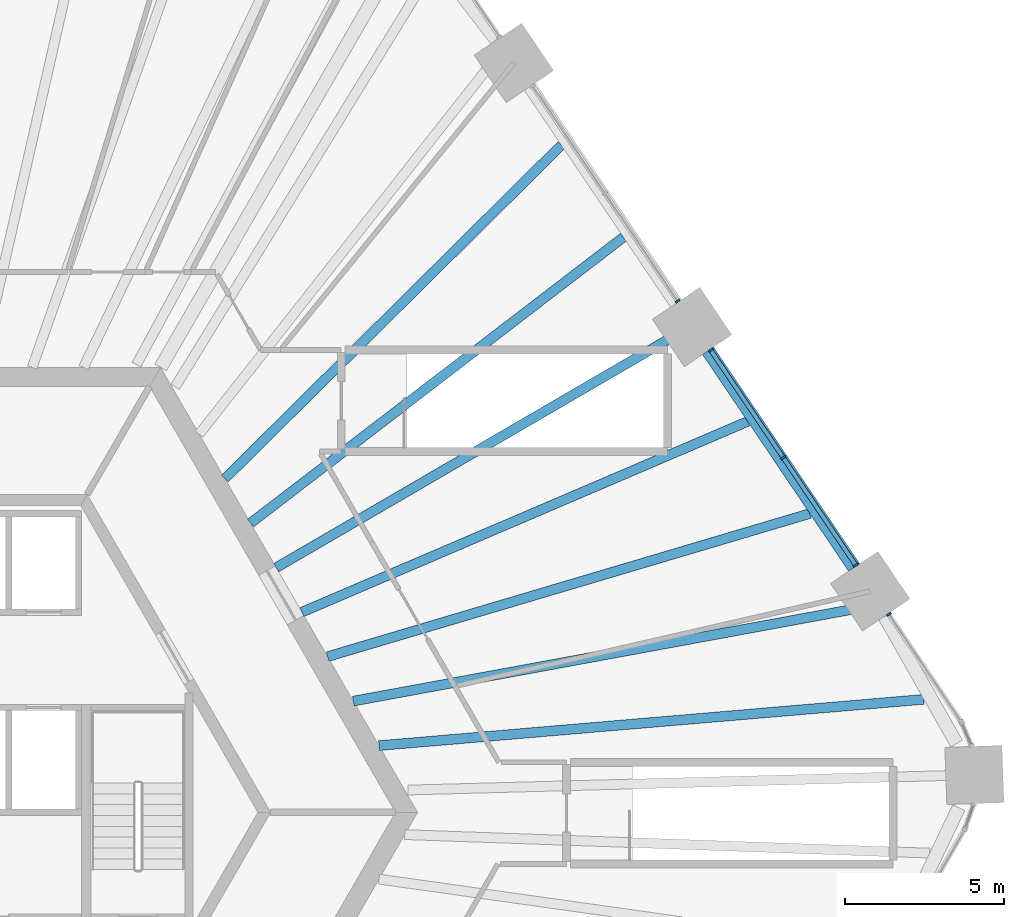
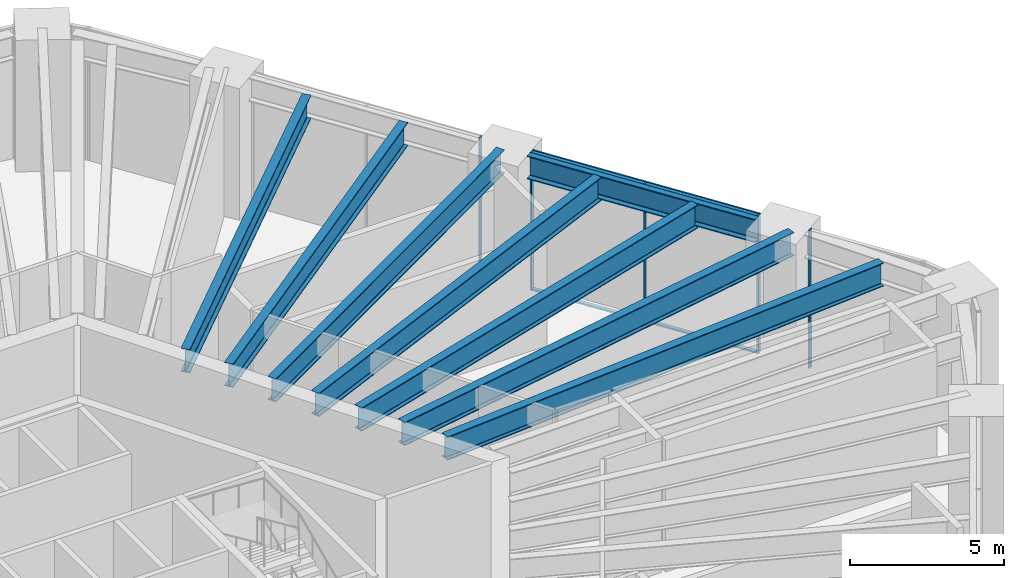
# One storey, part 8 of 25: 9 members, 8 beams, 3 elements without a shape of their own.
"""IFC4 building model written with IfcOpenShell, lengths in metres."""

from ifc_helpers import new_model, si_unit, direction, frame, origin, origin_2d, place, context, subcontext, project, spatial, rectangle, i_section, extrude, material, material_profile, profile_set, type_object, element, aggregate, save


model = new_model("IFC4")

# Units and contexts
model_context = context("Model", 3, precision=1e-05, world=origin(), true_north=direction((0.0, 1.0)))
body_context = subcontext(model_context, "Body", "Model", "MODEL_VIEW")
ifc_project = project(units=[si_unit("LENGTHUNIT", "METRE"), si_unit("AREAUNIT", "SQUARE_METRE"), si_unit("VOLUMEUNIT", "CUBIC_METRE"), si_unit("PLANEANGLEUNIT", "RADIAN"), si_unit("MASSUNIT", "GRAM", prefix="KILO")], contexts=[model_context])

# Site, building, storey
site_placement = place(None, origin())
site = spatial("IfcSite", under=ifc_project, at=site_placement, CompositionType="ELEMENT")
building_placement = place(site_placement, origin())
building = spatial("IfcBuilding", under=site, at=building_placement, Name="Tarnside Tower", CompositionType="ELEMENT")
storey_placement = place(building_placement, frame((0.0, 0.0, 26.0)))
storey = spatial("IfcBuildingStorey", under=building, at=storey_placement, Name="L04", CompositionType="ELEMENT", Elevation=26.0)

# Beams
ifc_material_1 = material(Name="Steel S355", Category="steel")
ifc_material_profile_1 = material_profile(ifc_material_1, i_section(OverallWidth=0.3076171875, OverallDepth=0.926513671875, WebThickness=0.01953125, FlangeThickness=0.031982421875, FilletRadius=0.01904296875, at=origin_2d()), Name="UB 914x305x289")
ifc_profile_set_1 = profile_set([ifc_material_profile_1], Name="Steel S355")
beam_type_1 = type_object("IfcBeamType", Name="Floor beam UB 914x305x289", PredefinedType="BEAM", material=ifc_profile_set_1)
beam_1_placement = place(storey_placement, frame((32.09423828125, 3.5556640625, 4.73681640625), z_axis=(-0.996413859407, -0.084613360535, 0.0), x_axis=(0.084613360535, -0.996413859407, 0.0)))
element("IfcBeam", 1, at=beam_1_placement, inside=storey, type_object=beam_type_1, Name="Floor beam F6.01", PredefinedType="BEAM", context=body_context, shape_type="SweptSolid", body=[
    extrude(i_section(OverallWidth=0.3076171875, OverallDepth=0.926513671875, WebThickness=0.01953125, FlangeThickness=0.031982421875, FilletRadius=0.01904296875, at=origin_2d()), origin(), (0.0, 0.0, 1.0), 17.20263671875),
])
beam_2_placement = place(storey_placement, frame((30.42919921875, 6.493408203125, 4.73681640625), z_axis=(-0.983521009802, -0.180793869583, 0.0), x_axis=(0.180793869583, -0.983521009802, 0.0)))
element("IfcBeam", 2, at=beam_2_placement, inside=storey, type_object=beam_type_1, Name="Floor beam F6.02", PredefinedType="BEAM", context=body_context, shape_type="SweptSolid", body=[
    extrude(i_section(OverallWidth=0.3076171875, OverallDepth=0.926513671875, WebThickness=0.01953125, FlangeThickness=0.031982421875, FilletRadius=0.01904296875, at=origin_2d()), origin(), (0.0, 0.0, 1.0), 16.55712890625),
])
beam_3_placement = place(storey_placement, frame((28.507080078125, 9.39990234375, 4.73681640625), z_axis=(-0.958709656164, -0.284386700073, 0.0), x_axis=(0.284386700073, -0.958709656164, 0.0)))
element("IfcBeam", 3, at=beam_3_placement, inside=storey, type_object=beam_type_1, Name="Floor beam F6.03", PredefinedType="BEAM", context=body_context, shape_type="SweptSolid", body=[
    extrude(i_section(OverallWidth=0.3076171875, OverallDepth=0.926513671875, WebThickness=0.01953125, FlangeThickness=0.031982421875, FilletRadius=0.01904296875, at=origin_2d()), origin(), (0.0, 0.0, 1.0), 15.823486328125),
])
beam_4_placement = place(storey_placement, frame((26.551513671875, 12.298828125, 4.73681640625), z_axis=(-0.919407284813, -0.393306807255, 0.0), x_axis=(0.393306807255, -0.919407284813, 0.0)))
element("IfcBeam", 4, at=beam_4_placement, inside=storey, type_object=beam_type_1, Name="Floor beam F6.04", PredefinedType="BEAM", context=body_context, shape_type="SweptSolid", body=[
    extrude(i_section(OverallWidth=0.3076171875, OverallDepth=0.926513671875, WebThickness=0.01953125, FlangeThickness=0.031982421875, FilletRadius=0.01904296875, at=origin_2d()), origin(), (0.0, 0.0, 1.0), 15.252197265625),
])
beam_5_placement = place(storey_placement, frame((24.596923828125, 15.19677734375, 4.73681640625), z_axis=(-0.864204692183, -0.503140387973, 0.0), x_axis=(0.503140387973, -0.864204692183, 0.0)))
element("IfcBeam", 5, at=beam_5_placement, inside=storey, type_object=beam_type_1, Name="Floor beam F6.05", PredefinedType="BEAM", context=body_context, shape_type="SweptSolid", body=[
    extrude(i_section(OverallWidth=0.3076171875, OverallDepth=0.926513671875, WebThickness=0.01953125, FlangeThickness=0.031982421875, FilletRadius=0.01904296875, at=origin_2d()), origin(), (0.0, 0.0, 1.0), 14.900146484375),
])
beam_6_placement = place(storey_placement, frame((22.643310546875, 18.093505859375, 4.73681640625), z_axis=(-0.793629221996, -0.608401724188, 0.0), x_axis=(0.608401724188, -0.793629221996, 0.0)))
element("IfcBeam", 6, at=beam_6_placement, inside=storey, type_object=beam_type_1, Name="Floor beam F6.06", PredefinedType="BEAM", context=body_context, shape_type="SweptSolid", body=[
    extrude(i_section(OverallWidth=0.3076171875, OverallDepth=0.926513671875, WebThickness=0.01953125, FlangeThickness=0.031982421875, FilletRadius=0.01904296875, at=origin_2d()), origin(), (0.0, 0.0, 1.0), 14.781982421875),
])
beam_7_placement = place(storey_placement, frame((20.690185546875, 20.98876953125, 4.73681640625), z_axis=(-0.710383794714, -0.703814509801, 0.0), x_axis=(0.703814509801, -0.710383794714, 0.0)))
element("IfcBeam", 7, at=beam_7_placement, inside=storey, type_object=beam_type_1, Name="Floor beam F6.07", PredefinedType="BEAM", context=body_context, shape_type="SweptSolid", body=[
    extrude(i_section(OverallWidth=0.3076171875, OverallDepth=0.926513671875, WebThickness=0.01953125, FlangeThickness=0.031982421875, FilletRadius=0.01904296875, at=origin_2d()), origin(), (0.0, 0.0, 1.0), 14.90283203125),
])
ifc_material_2 = material(Name="Steel S460", Category="steel")
ifc_material_profile_2 = material_profile(ifc_material_2, i_section(OverallWidth=0.42041015625, OverallDepth=0.9208984375, WebThickness=0.021484375, FlangeThickness=0.03662109375, FilletRadius=0.024169921875, at=origin_2d()), Name="UB 914x419x388")
ifc_profile_set_2 = profile_set([ifc_material_profile_2], Name="Steel S460")
beam_type_2 = type_object("IfcBeamType", Name="Perimeter girder UB 914x419x388", PredefinedType="BEAM", material=ifc_profile_set_2)
beam_8_placement = place(storey_placement, frame((29.904052734375, 7.70458984375, 4.739501953125), z_axis=(-0.559186275376, 0.829042043223, 0.0), x_axis=(-0.829042043223, -0.559186275376, 0.0)))
element("IfcBeam", 8, at=beam_8_placement, inside=storey, type_object=beam_type_2, Name="Perimeter girder M21", PredefinedType="BEAM", context=body_context, shape_type="SweptSolid", body=[
    extrude(i_section(OverallWidth=0.42041015625, OverallDepth=0.9208984375, WebThickness=0.021484375, FlangeThickness=0.03662109375, FilletRadius=0.024169921875, at=origin_2d()), origin(), (0.0, 0.0, 1.0), 8.223876953125),
])

# Curtain wall, member
ifc_material_3 = material(Name="Retail shopfront glazing wall", Category="glass")
curtain_wall_type = type_object("IfcCurtainWallType", Name="Retail shopfront glazing wall", PredefinedType="NOTDEFINED", material=ifc_material_3)
curtain_wall_1_placement = place(storey_placement, origin())
curtain_wall_1 = element("IfcCurtainWall", 9, at=curtain_wall_1_placement, inside=storey, type_object=curtain_wall_type, Name="Retail shopfront glazing L04 19.1", PredefinedType="NOTDEFINED")
ifc_material_4 = material(Name="Aluminium alloy 6063", Category="aluminium")
ifc_material_profile_3 = material_profile(ifc_material_4, rectangle(XDim=0.159912109375, YDim=0.06005859375, at=origin_2d()), Name="Retail shopfront glazing mullion 60 x 160")
ifc_profile_set_3 = profile_set([ifc_material_profile_3], Name="Aluminium alloy 6063")
member_type_1 = type_object("IfcMemberType", Name="Retail shopfront glazing mullion 60 x 160", PredefinedType="MULLION", material=ifc_profile_set_3)
member_1_placement = place(storey_placement, frame((30.99365234375, 6.232177734375, -0.25), z_axis=(0.0, 0.0, 1.0), x_axis=(-0.829037572487, -0.559192903572, 0.0)))
member_1 = element("IfcMember", 10, at=member_1_placement, type_object=member_type_1, Name="CW2 mullion 2", PredefinedType="MULLION", context=body_context, shape_type="SweptSolid", body=[
    extrude(rectangle(XDim=0.159912109375, YDim=0.06005859375, at=origin_2d()), origin(), (0.0, 0.0, 1.0), 5.449951171875),
])
aggregate(curtain_wall_1, [member_1])

# Curtain wall, members
curtain_wall_2_placement = place(storey_placement, origin())
curtain_wall_2 = element("IfcCurtainWall", 11, at=curtain_wall_2_placement, inside=storey, type_object=curtain_wall_type, Name="Retail shopfront glazing L04 20.0", PredefinedType="NOTDEFINED")
member_2_placement = place(storey_placement, frame((29.95361328125, 7.774169921875, -0.25), z_axis=(0.0, 0.0, 1.0), x_axis=(-0.829037572545, -0.559192903485, 0.0)))
member_2 = element("IfcMember", 12, at=member_2_placement, type_object=member_type_1, Name="CW2 mullion 1", PredefinedType="MULLION", context=body_context, shape_type="SweptSolid", body=[
    extrude(rectangle(XDim=0.159912109375, YDim=0.06005859375, at=origin_2d()), origin(), (0.0, 0.0, 1.0), 5.449951171875),
])
member_3_placement = place(storey_placement, frame((27.671142578125, 11.158203125, -0.25), z_axis=(0.0, 0.0, 1.0), x_axis=(-0.829037572545, -0.559192903485, 0.0)))
member_3 = element("IfcMember", 13, at=member_3_placement, type_object=member_type_1, Name="CW2 mullion 2", PredefinedType="MULLION", context=body_context, shape_type="SweptSolid", body=[
    extrude(rectangle(XDim=0.159912109375, YDim=0.06005859375, at=origin_2d()), origin(), (0.0, 0.0, 1.0), 5.449951171875),
])
member_4_placement = place(storey_placement, frame((25.388671875, 14.542236328125, -0.25), z_axis=(0.0, 0.0, 1.0), x_axis=(-0.829037572545, -0.559192903485, 0.0)))
member_4 = element("IfcMember", 14, at=member_4_placement, type_object=member_type_1, Name="CW2 mullion 3", PredefinedType="MULLION", context=body_context, shape_type="SweptSolid", body=[
    extrude(rectangle(XDim=0.159912109375, YDim=0.06005859375, at=origin_2d()), origin(), (0.0, 0.0, 1.0), 5.449951171875),
])

# Curtain wall, member
curtain_wall_3_placement = place(storey_placement, origin())
curtain_wall_3 = element("IfcCurtainWall", 15, at=curtain_wall_3_placement, inside=storey, type_object=curtain_wall_type, Name="Retail shopfront glazing L04 21.0", PredefinedType="NOTDEFINED")
member_5_placement = place(storey_placement, frame((24.348388671875, 16.084228515625, -0.25), z_axis=(0.0, 0.0, 1.0), x_axis=(-0.829037572545, -0.559192903485, 0.0)))
member_5 = element("IfcMember", 16, at=member_5_placement, type_object=member_type_1, Name="CW2 mullion 1", PredefinedType="MULLION", context=body_context, shape_type="SweptSolid", body=[
    extrude(rectangle(XDim=0.159912109375, YDim=0.06005859375, at=origin_2d()), origin(), (0.0, 0.0, 1.0), 5.449951171875),
])
aggregate(curtain_wall_3, [member_5])

# Member
ifc_material_profile_4 = material_profile(ifc_material_4, rectangle(XDim=0.139892578125, YDim=0.06005859375, at=origin_2d()), Name="Retail shopfront glazing transom 60 x 140")
ifc_profile_set_4 = profile_set([ifc_material_profile_4], Name="Aluminium alloy 6063")
member_type_2 = type_object("IfcMemberType", Name="Retail shopfront glazing transom 60 x 140", PredefinedType="USERDEFINED", material=ifc_profile_set_4)
member_6_placement = place(storey_placement, frame((29.93701171875, 7.799072265625, -0.219970703125), z_axis=(-0.559202799254, 0.829030897679, 0.0), x_axis=(-0.829030897679, -0.559202799254, 0.0)))
member_6 = element("IfcMember", 17, at=member_6_placement, type_object=member_type_2, Name="CW2 transom 1.1", ObjectType="TRANSOM", PredefinedType="USERDEFINED", context=body_context, shape_type="SweptSolid", body=[
    extrude(rectangle(XDim=0.139892578125, YDim=0.06005859375, at=origin_2d()), origin(), (0.0, 0.0, 1.0), 4.021728515625),
])

member_7_placement = place(storey_placement, frame((29.93701171875, 7.799072265625, 5.169921875), z_axis=(-0.559202799254, 0.829030897679, 0.0), x_axis=(-0.829030897679, -0.559202799254, 0.0)))
member_7 = element("IfcMember", 18, at=member_7_placement, type_object=member_type_2, Name="CW2 transom 1.2", ObjectType="TRANSOM", PredefinedType="USERDEFINED", context=body_context, shape_type="SweptSolid", body=[
    extrude(rectangle(XDim=0.139892578125, YDim=0.06005859375, at=origin_2d()), origin(), (0.0, 0.0, 1.0), 4.021728515625),
])

member_8_placement = place(storey_placement, frame((27.654296875, 11.18310546875, -0.219970703125), z_axis=(-0.559202799254, 0.829030897679, 0.0), x_axis=(-0.829030897679, -0.559202799254, 0.0)))
member_8 = element("IfcMember", 19, at=member_8_placement, type_object=member_type_2, Name="CW2 transom 2.1", ObjectType="TRANSOM", PredefinedType="USERDEFINED", context=body_context, shape_type="SweptSolid", body=[
    extrude(rectangle(XDim=0.139892578125, YDim=0.06005859375, at=origin_2d()), origin(), (0.0, 0.0, 1.0), 4.021728515625),
])

member_9_placement = place(storey_placement, frame((27.654296875, 11.18310546875, 5.169921875), z_axis=(-0.559202799254, 0.829030897679, 0.0), x_axis=(-0.829030897679, -0.559202799254, 0.0)))
member_9 = element("IfcMember", 20, at=member_9_placement, type_object=member_type_2, Name="CW2 transom 2.2", ObjectType="TRANSOM", PredefinedType="USERDEFINED", context=body_context, shape_type="SweptSolid", body=[
    extrude(rectangle(XDim=0.139892578125, YDim=0.06005859375, at=origin_2d()), origin(), (0.0, 0.0, 1.0), 4.021728515625),
])

aggregate(curtain_wall_2, [member_2, member_3, member_4, member_6, member_7, member_8, member_9])

save(model, "model.ifc")
